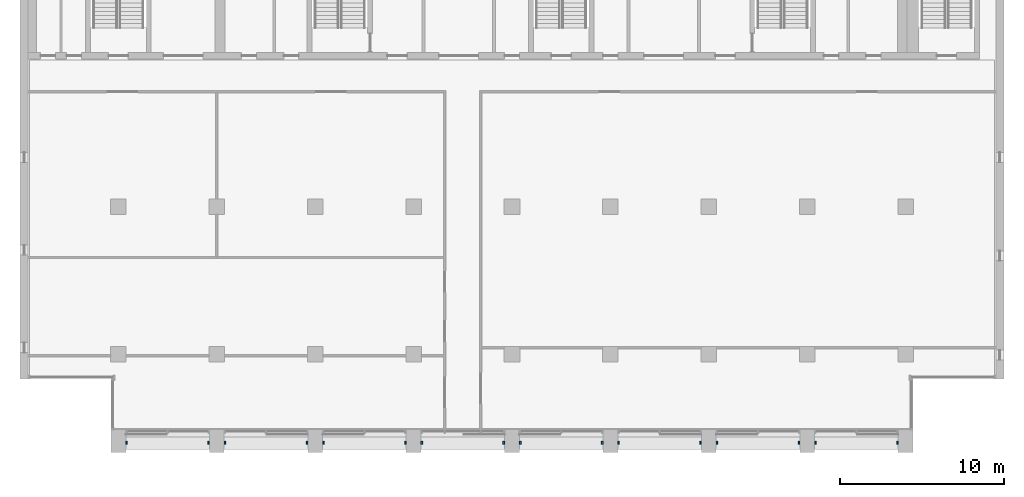
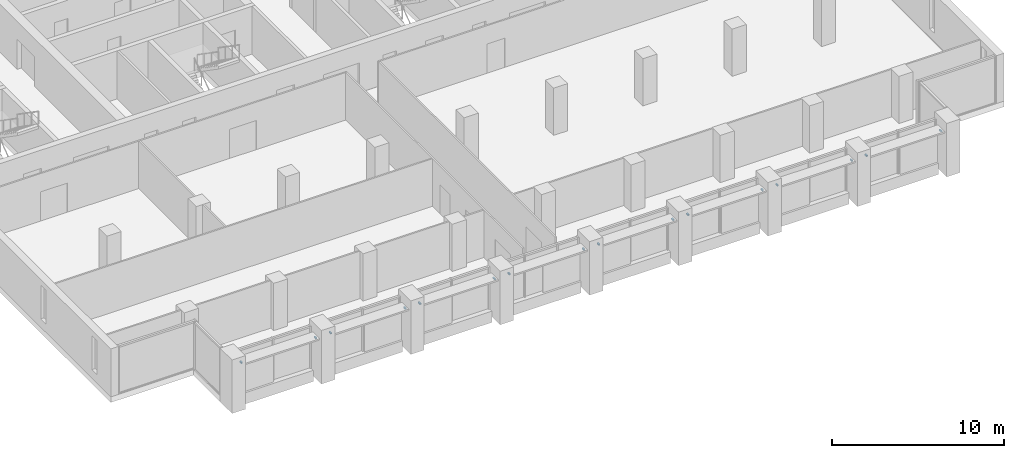
# One storey, part 13 of 14: 16 discrete accessories.
"""IFC4 building model written with IfcOpenShell, lengths in metres."""

from ifc_helpers import new_model, si_unit, direction, frame, origin, origin_2d, place, context, subcontext, project, spatial, rectangle, extrude, element, save


model = new_model("IFC4")

# Units and contexts
model_context = context("Model", 3, precision=1e-05, world=origin(), true_north=direction((0.0, 1.0)))
body_context = subcontext(model_context, "Body", "Model", "MODEL_VIEW")
ifc_project = project(units=[si_unit("LENGTHUNIT", "METRE"), si_unit("AREAUNIT", "SQUARE_METRE"), si_unit("VOLUMEUNIT", "CUBIC_METRE"), si_unit("PLANEANGLEUNIT", "RADIAN"), si_unit("MASSUNIT", "GRAM", prefix="KILO")], contexts=[model_context])

# Site, building, storey
site_placement = place(None, origin())
site = spatial("IfcSite", under=ifc_project, at=site_placement, CompositionType="ELEMENT")
building_placement = place(site_placement, origin())
building = spatial("IfcBuilding", under=site, at=building_placement, Name="Calvaro Tower", CompositionType="ELEMENT")
storey_placement = place(building_placement, frame((0.0, 0.0, 235.550048828125)))
storey = spatial("IfcBuildingStorey", under=building, at=storey_placement, Name="L59", CompositionType="ELEMENT", Elevation=235.550048828125)

# Discrete accessories
for number, where, z_axis, x_axis, name in (
    (1, (12.5, 4.60009765625, 2.5), (0.0, 0.0, 1.0), (1.0, 0.0, 0.0), "Brise-soleil bracket"),
    (2, (17.5, 4.60009765625, 2.5), (0.0, 0.0, 1.0), (1.0, 0.0, 0.0), "Brise-soleil bracket"),
    (3, (18.5, 4.60009765625, 2.5), (0.0, 0.0, 1.0), (1.0, 0.0, 0.0), "Brise-soleil bracket"),
    (4, (23.5, 4.60009765625, 2.5), (0.0, 0.0, 1.0), (1.0, 0.0, 0.0), "Brise-soleil bracket"),
    (5, (24.5, 4.60009765625, 2.5), (0.0, 0.0, 1.0), (1.0, 0.0, 0.0), "Brise-soleil bracket"),
    (6, (29.5, 4.60009765625, 2.5), (0.0, 0.0, 1.0), (1.0, 0.0, 0.0), "Brise-soleil bracket"),
    (7, (30.5, 4.60009765625, 2.5), (0.0, 0.0, 1.0), (1.0, 0.0, 0.0), "Brise-soleil bracket"),
    (8, (35.5, 4.60009765625, 2.5), (0.0, 0.0, 1.0), (1.0, 0.0, 0.0), "Brise-soleil bracket"),
    (9, (36.5, 4.60009765625, 2.5), (0.0, 0.0, 1.0), (1.0, 0.0, 0.0), "Brise-soleil bracket"),
    (10, (41.5, 4.60009765625, 2.5), (0.0, 0.0, 1.0), (1.0, 0.0, 0.0), "Brise-soleil bracket"),
    (11, (42.5, 4.60009765625, 2.5), (0.0, 0.0, 1.0), (1.0, 0.0, 0.0), "Brise-soleil bracket"),
    (12, (47.5, 4.60009765625, 2.5), (0.0, 0.0, 1.0), (1.0, 0.0, 0.0), "Brise-soleil bracket"),
    (13, (48.5, 4.60009765625, 2.5), (0.0, 0.0, 1.0), (1.0, 0.0, 0.0), "Brise-soleil bracket"),
    (14, (53.5, 4.60009765625, 2.5), (0.0, 0.0, 1.0), (1.0, 0.0, 0.0), "Brise-soleil bracket"),
    (15, (54.5, 4.60009765625, 2.5), (0.0, 0.0, 1.0), (1.0, 0.0, 0.0), "Brise-soleil bracket"),
    (16, (59.5, 4.60009765625, 2.5), (0.0, 0.0, 1.0), (1.0, 0.0, 0.0), "Brise-soleil bracket"),
):
    element("IfcDiscreteAccessory", number, at=place(storey_placement, frame(where, z_axis=z_axis, x_axis=x_axis)), inside=storey, Name=name, PredefinedType="BRACKET", context=body_context, shape_type="SweptSolid", body=[
        extrude(rectangle(XDim=0.10009765625, YDim=0.199951171875, at=origin_2d()), origin(), (0.0, 0.0, 1.0), 0.10009765625),
    ])

save(model, "model.ifc")
